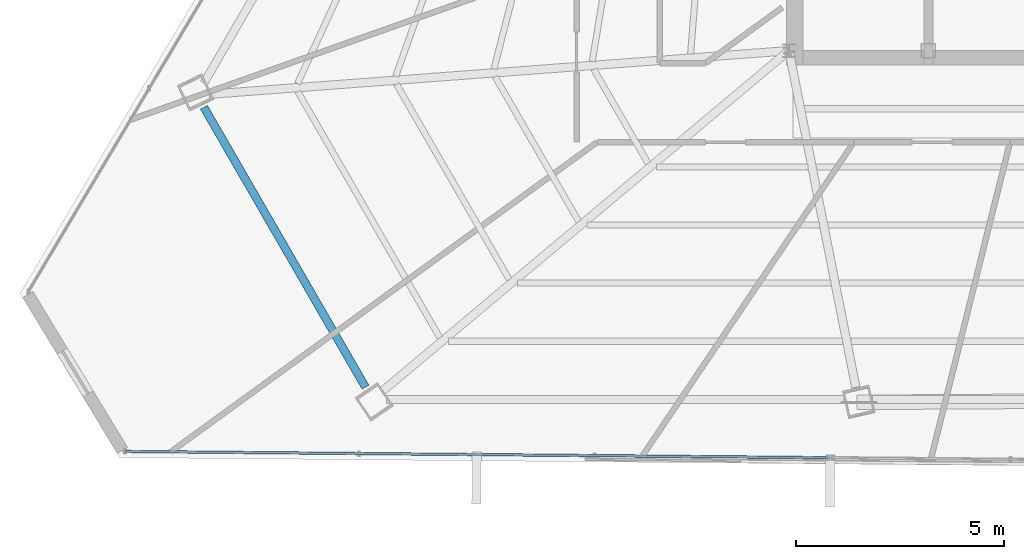
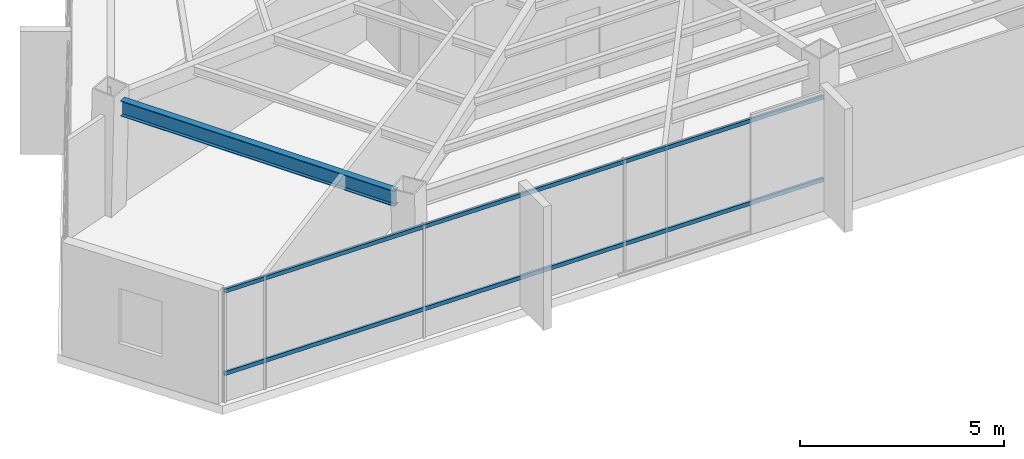
# One storey, part 4 of 46: 2 members, 1 beam, 1 element without a shape of its own.
"""IFC4 building model written with IfcOpenShell, lengths in metres."""

import ifcopenshell
import ifcopenshell.guid

model = None  # the IFC model being written
_history = None  # IfcOwnerHistory: only IFC2X3 demands one
_inside = {}  # id of a spatial element -> (the spatial element, [elements in it])
_under = {}  # id of a project, library or spatial element -> (it, [spatial elements below it])
_declared = {}  # id of a project -> (the project, [libraries it declares])
_typed = {}  # id of a type object -> (the type object, [elements of that type])
_made_of = {}  # id of a material, layer set ... -> (it, [elements and type objects made of it])


def new_model(schema):
    """Start an empty IFC model of exactly this schema.

    Asked for "IFC4X3", IfcOpenShell would pick the latest addendum, in which some entities
    have other attributes; the version numbers below select the first issue.
    IFC2X3 requires an IfcOwnerHistory on every rooted entity: one is made here for all.
    """
    global model, _history
    if schema == "IFC4X3":
        model = ifcopenshell.file(schema_version=(4, 3, 0, 0))
    else:
        model = ifcopenshell.file(schema=schema)
    _inside.clear()
    _under.clear()
    _declared.clear()
    _typed.clear()
    _made_of.clear()
    _history = None
    if model.schema == "IFC2X3":
        org = make("IfcOrganization", Name="unknown")
        user = make(
            "IfcPersonAndOrganization",
            ThePerson=make("IfcPerson", FamilyName="unknown"),
            TheOrganization=org,
        )
        app = make(
            "IfcApplication",
            ApplicationDeveloper=org,
            Version="unknown",
            ApplicationFullName="unknown",
            ApplicationIdentifier="unknown",
        )
        _history = make(
            "IfcOwnerHistory",
            OwningUser=user,
            OwningApplication=app,
            ChangeAction="ADDED",
            CreationDate=0,
        )
    return model


def make(cls, **values):
    """One entity of the class cls with the attributes given. An attribute that is None is left unset."""
    return model.create_entity(
        cls, **{name: value for name, value in values.items() if value is not None}
    )


def rooted(cls, **values):
    """An entity with a GlobalId (a new one), such as an element, a storey or a relation."""
    return make(cls, GlobalId=ifcopenshell.guid.new(), OwnerHistory=_history, **values)


def si_unit(unit_type, name, prefix=None):
    """IfcSIUnit, for example si_unit("LENGTHUNIT", "METRE", prefix="MILLI")."""
    return make("IfcSIUnit", UnitType=unit_type, Prefix=prefix, Name=name)


def assignment(units):
    """IfcUnitAssignment: the units of a project."""
    return None if units is None else make("IfcUnitAssignment", Units=units)


def point(xyz):
    """IfcCartesianPoint."""
    return None if xyz is None else make("IfcCartesianPoint", Coordinates=xyz)


def direction(xyz):
    """IfcDirection."""
    return None if xyz is None else make("IfcDirection", DirectionRatios=xyz)


def frame(location, z_axis=None, x_axis=None):
    """IfcAxis2Placement3D, a coordinate frame: its origin and axes. An axis left out is left unset."""
    return make(
        "IfcAxis2Placement3D",
        Location=point(location),
        Axis=direction(z_axis),
        RefDirection=direction(x_axis),
    )


def frame_2d(location, x_axis=None):
    """IfcAxis2Placement2D, a coordinate frame in the plane: its origin and x axis."""
    return make(
        "IfcAxis2Placement2D", Location=point(location), RefDirection=direction(x_axis)
    )


def origin():
    """The frame at (0, 0, 0) with its axes left unset."""
    return frame((0.0, 0.0, 0.0))


def origin_2d():
    """The frame at (0, 0) in the plane with its x axis left unset."""
    return frame_2d((0.0, 0.0))


def place(relative_to, where):
    """IfcLocalPlacement: puts the frame where relative to a parent placement (None: the world)."""
    return make(
        "IfcLocalPlacement", PlacementRelTo=relative_to, RelativePlacement=where
    )


def context(
    kind, dimensions, precision=None, world=None, true_north=None, identifier=None
):
    """IfcGeometricRepresentationContext, for example the 3D "Model" context."""
    return make(
        "IfcGeometricRepresentationContext",
        ContextIdentifier=identifier,
        ContextType=kind,
        CoordinateSpaceDimension=dimensions,
        Precision=precision,
        WorldCoordinateSystem=world,
        TrueNorth=true_north,
    )


def subcontext(parent, identifier, kind, view, scale=None):
    """IfcGeometricRepresentationSubContext, for example "Body" below "Model"."""
    return make(
        "IfcGeometricRepresentationSubContext",
        ContextIdentifier=identifier,
        ContextType=kind,
        ParentContext=parent,
        TargetScale=scale,
        TargetView=view,
    )


def project(units=None, contexts=None):
    """IfcProject with its units and contexts."""
    return rooted(
        "IfcProject",
        Name="project",
        RepresentationContexts=contexts,
        UnitsInContext=assignment(units),
    )


def spatial(cls, under=None, at=None, **own):
    """A site, building, storey or space (cls), placed at a placement, below another one or the project."""
    s = rooted(cls, ObjectPlacement=at, **own)
    if under is not None:
        _under.setdefault(under.id(), (under, []))[1].append(s)
    return s


def profile(cls, at=None, kind="AREA", **sizes):
    """A parametric profile (cls). Its sizes go by their IFC names, for example OverallWidth=200.0."""
    return make(cls, ProfileType=kind, Position=at, **sizes)


def hollow_rectangle(**sizes):
    """IfcRectangleHollowProfileDef."""
    return profile("IfcRectangleHollowProfileDef", **sizes)


def i_section(**sizes):
    """IfcIShapeProfileDef."""
    return profile("IfcIShapeProfileDef", **sizes)


def extrude(swept, where, along, depth):
    """IfcExtrudedAreaSolid: the profile swept, set in the frame where, extruded along a direction by depth."""
    return make(
        "IfcExtrudedAreaSolid",
        SweptArea=swept,
        Position=where,
        ExtrudedDirection=direction(along),
        Depth=depth,
    )


def shape(context_of_items, identifier, shape_type, items):
    """IfcShapeRepresentation: the items that make up one representation, for example the "Body"."""
    return make(
        "IfcShapeRepresentation",
        ContextOfItems=context_of_items,
        RepresentationIdentifier=identifier,
        RepresentationType=shape_type,
        Items=items,
    )


def source(mapping_origin, context_of_items, identifier, shape_type, items):
    """IfcRepresentationMap: a shape defined once, which mapped items show again and again."""
    return make(
        "IfcRepresentationMap",
        MappingOrigin=mapping_origin,
        MappedRepresentation=shape(context_of_items, identifier, shape_type, items),
    )


def transform(
    local_origin,
    x_axis=None,
    y_axis=None,
    z_axis=None,
    scale=None,
    scale2=None,
    scale3=None,
    uniform=True,
):
    """IfcCartesianTransformationOperator3D, or its non-uniform kind. x_axis, y_axis, z_axis: its Axis1, 2, 3."""
    if uniform:
        return make(
            "IfcCartesianTransformationOperator3D",
            Axis1=direction(x_axis),
            Axis2=direction(y_axis),
            LocalOrigin=point(local_origin),
            Scale=scale,
            Axis3=direction(z_axis),
        )
    return make(
        "IfcCartesianTransformationOperator3DnonUniform",
        Axis1=direction(x_axis),
        Axis2=direction(y_axis),
        LocalOrigin=point(local_origin),
        Scale=scale,
        Axis3=direction(z_axis),
        Scale2=scale2,
        Scale3=scale3,
    )


def mapped(mapping_source, mapping_target):
    """IfcMappedItem: shows the shape of a source again, moved by a transform."""
    return make(
        "IfcMappedItem", MappingSource=mapping_source, MappingTarget=mapping_target
    )


def material(Name=None, Category=None):
    """IfcMaterial."""
    return make("IfcMaterial", Name=Name, Category=Category)


def material_profile(
    of_material, cross_section, Name=None, Category=None, Priority=None
):
    """IfcMaterialProfile: a cross section and its material."""
    return make(
        "IfcMaterialProfile",
        Name=Name,
        Material=of_material,
        Profile=cross_section,
        Priority=Priority,
        Category=Category,
    )


def profile_set(profiles, Name=None, composite=None):
    """IfcMaterialProfileSet."""
    return make(
        "IfcMaterialProfileSet",
        Name=Name,
        MaterialProfiles=profiles,
        CompositeProfile=composite,
    )


def made_of(thing, what):
    """Note that an element or type object is made of a material, layer set ...; save() writes the relation."""
    if what is not None:
        _made_of.setdefault(what.id(), (what, []))[1].append(thing)
    return thing


def type_object(cls, material=None, **own):
    """A type object (cls), such as IfcWallType, which elements share."""
    return made_of(rooted(cls, **own), material)


def type_shapes(of_type, sources):
    """Give a type object the sources (RepresentationMaps) that its elements show as mapped items."""
    of_type.RepresentationMaps = sources


def element(
    cls,
    number,
    at=None,
    inside=None,
    cuts=None,
    type_object=None,
    material=None,
    context=None,
    identifier="Body",
    shape_type=None,
    held_by="IfcProductDefinitionShape",
    body=None,
    shapes=None,
    **own,
):
    """One element of the class cls, such as IfcWall. Its Tag is "e" and its number.

    at: its placement. inside: the storey or other place that contains it. cuts: it is an
    opening in that element (IfcRelVoidsElement). A single representation is given by context,
    identifier, shape_type and body (its items); several are given by shapes. held_by: the class
    of the entity that holds the representations. save() writes the other relations.
    """
    e = rooted(cls, Tag="e%d" % number, ObjectPlacement=at, **own)
    if body is not None:
        shapes = [shape(context, identifier, shape_type, body)]
    if shapes is not None:
        e.Representation = make(held_by, Representations=shapes)
    if inside is not None:
        _inside.setdefault(inside.id(), (inside, []))[1].append(e)
    if cuts is not None:
        rooted(
            "IfcRelVoidsElement", RelatingBuildingElement=cuts, RelatedOpeningElement=e
        )
    if type_object is not None:
        _typed.setdefault(type_object.id(), (type_object, []))[1].append(e)
    return made_of(e, material)


def aggregate(whole, parts):
    """IfcRelAggregates: a whole, such as a stair, and the parts it consists of."""
    return rooted("IfcRelAggregates", RelatingObject=whole, RelatedObjects=parts)


def save(model, path):
    """Write the relations noted so far, then the file.

    IfcRelAggregates (storeys below a building ...), IfcRelContainedInSpatialStructure (elements
    in a storey), IfcRelDefinesByType, IfcRelAssociatesMaterial and IfcRelDeclares: one each for
    every whole, place, type object, material and project.
    """
    for whole, parts in _under.values():
        aggregate(whole, parts)
    for where, things in _inside.values():
        rooted(
            "IfcRelContainedInSpatialStructure",
            RelatedElements=things,
            RelatingStructure=where,
        )
    for kind, things in _typed.values():
        rooted("IfcRelDefinesByType", RelatedObjects=things, RelatingType=kind)
    for what, things in _made_of.values():
        rooted("IfcRelAssociatesMaterial", RelatedObjects=things, RelatingMaterial=what)
    for by, libraries in _declared.values():
        rooted("IfcRelDeclares", RelatingContext=by, RelatedDefinitions=libraries)
    model.write(path)


model = new_model("IFC4")

# Units and contexts
model_context = context("Model", 3, precision=1e-05, world=origin(), true_north=direction((0.0, 1.0)))
body_context = subcontext(model_context, "Body", "Model", "MODEL_VIEW")
ifc_project = project(units=[si_unit("LENGTHUNIT", "METRE"), si_unit("AREAUNIT", "SQUARE_METRE"), si_unit("VOLUMEUNIT", "CUBIC_METRE"), si_unit("PLANEANGLEUNIT", "RADIAN"), si_unit("MASSUNIT", "GRAM", prefix="KILO")], contexts=[model_context])

# Site, building, storey
site_placement = place(None, origin())
site = spatial("IfcSite", under=ifc_project, at=site_placement, CompositionType="ELEMENT")
building_placement = place(site_placement, origin())
building = spatial("IfcBuilding", under=site, at=building_placement, Name="Caelisora Broadcast Tower", CompositionType="ELEMENT")
storey_placement = place(building_placement, frame((0.0, 0.0, 237.14990234375)))
storey = spatial("IfcBuildingStorey", under=building, at=storey_placement, Name="L62", CompositionType="ELEMENT", Elevation=237.14990234375)

# Beam
ifc_material_1 = material(Name="Steel Grade 350 (AS/NZS 3679.1)", Category="steel")
ifc_material_profile_1 = material_profile(ifc_material_1, i_section(OverallWidth=0.19091796875, OverallDepth=0.46044921875, WebThickness=0.010009765625, FlangeThickness=0.01611328125, at=origin_2d()), Name="Steel Grade 350 (AS/NZS 3679.1)")
ifc_profile_set_1 = profile_set([ifc_material_profile_1], Name="Steel Grade 350 (AS/NZS 3679.1)")
beam_type = type_object("IfcBeamType", Name="PG06", PredefinedType="BEAM", material=ifc_profile_set_1)
shared_shape_1 = source(origin(), body_context, "Body", "SweptSolid", [
    extrude(i_section(OverallWidth=0.19091796875, OverallDepth=0.46044921875, WebThickness=0.010009765625, FlangeThickness=0.01611328125, at=origin_2d()), origin(), (0.0, 0.0, 1.0), 7.761474609375),
])
type_shapes(beam_type, [shared_shape_1])
beam_placement = place(storey_placement, frame((16.446533203125, 16.037109375, 3.169921875), z_axis=(0.500022877829, -0.866012194861, 0.0), x_axis=(0.866012194861, 0.500022877829, 0.0)))
element("IfcBeam", 1, at=beam_placement, inside=storey, type_object=beam_type, Name="L62 beam PG06", PredefinedType="BEAM", context=body_context, shape_type="MappedRepresentation", body=[
    mapped(shared_shape_1, transform((0.0, 0.0, 0.0), scale=1.0)),
])

# Curtain wall, members
ifc_material_2 = material(Name="Unitised Aluminium and Low-E Glass Curtain Wall", Category="glass")
curtain_wall_type = type_object("IfcCurtainWallType", Name="CW-Z5", PredefinedType="NOTDEFINED", material=ifc_material_2)
curtain_wall_placement = place(storey_placement, origin())
curtain_wall = element("IfcCurtainWall", 2, at=curtain_wall_placement, inside=storey, type_object=curtain_wall_type, Name="L62 curtain wall CW-Z5", PredefinedType="NOTDEFINED")
ifc_material_3 = material(Name="Aluminium 6063-T6 Anodised Terracotta Bronze", Category="aluminium")
ifc_material_profile_2 = material_profile(ifc_material_3, hollow_rectangle(XDim=0.06005859375, YDim=0.1201171875, WallThickness=0.0029296875, at=origin_2d()), Name="Aluminium 6063-T6 Anodised Terracotta Bronze")
ifc_profile_set_2 = profile_set([ifc_material_profile_2], Name="Aluminium 6063-T6 Anodised Terracotta Bronze")
member_type = type_object("IfcMemberType", Name="CWT-03", PredefinedType="USERDEFINED", material=ifc_profile_set_2)
shared_shape_2 = source(origin(), body_context, "Body", "SweptSolid", [
    extrude(hollow_rectangle(XDim=0.06005859375, YDim=0.1201171875, WallThickness=0.0029296875, at=origin_2d()), origin(), (0.0, 0.0, 1.0), 16.8857421875),
])
type_shapes(member_type, [shared_shape_2])
member_1_placement = place(storey_placement, frame((31.43994140625, 7.62060546875, 0.85009765625), z_axis=(-0.999960079275, 0.00893531512, 0.0), x_axis=(-0.00893531512, -0.999960079275, 0.0)))
member_1 = element("IfcMember", 3, at=member_1_placement, type_object=member_type, Name="L62-CW-B07 transom #1", ObjectType="TRANSOM", PredefinedType="USERDEFINED", context=body_context, shape_type="MappedRepresentation", body=[
    mapped(shared_shape_2, transform((0.0, 0.0, 0.0), scale=1.0)),
])
member_2_placement = place(storey_placement, frame((31.43994140625, 7.62060546875, 3.320068359375), z_axis=(-0.999960079275, 0.00893531512, 0.0), x_axis=(-0.00893531512, -0.999960079275, 0.0)))
member_2 = element("IfcMember", 4, at=member_2_placement, type_object=member_type, Name="L62-CW-B07 transom #2", ObjectType="TRANSOM", PredefinedType="USERDEFINED", context=body_context, shape_type="MappedRepresentation", body=[
    mapped(shared_shape_2, transform((0.0, 0.0, 0.0), scale=1.0)),
])
aggregate(curtain_wall, [member_1, member_2])

save(model, "model.ifc")
